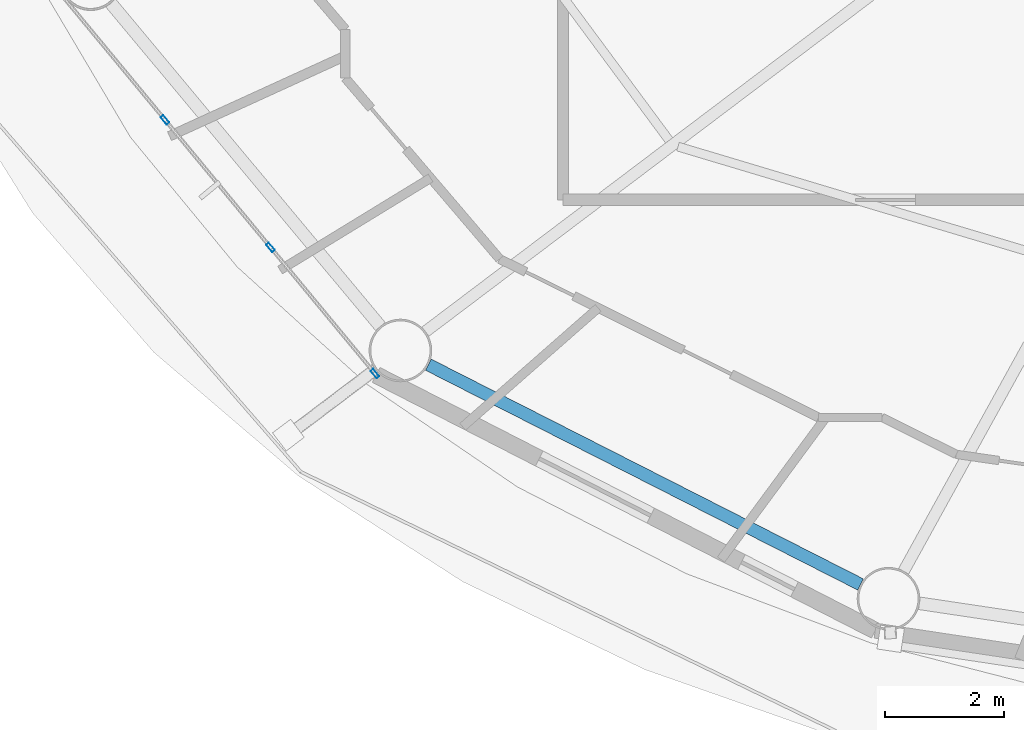
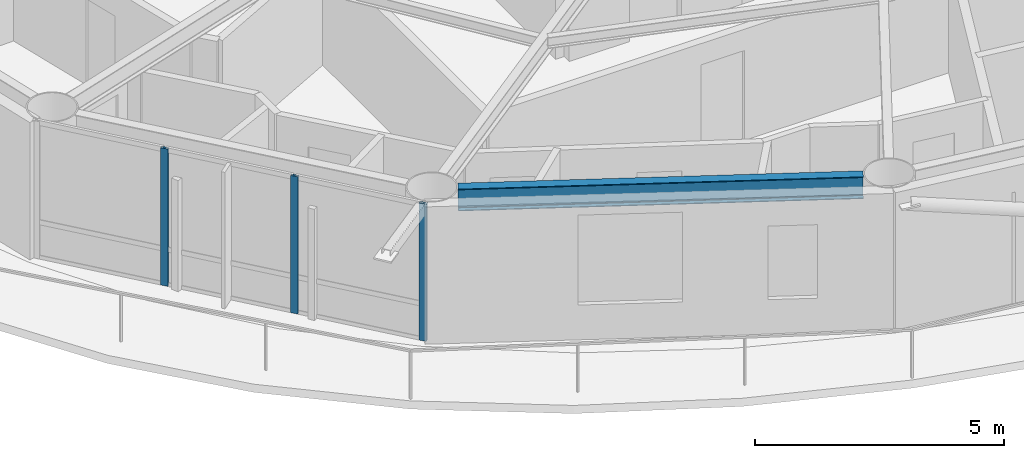
# One storey, part 2 of 23: 3 members, 1 beam, 1 element without a shape of its own.
"""IFC4 building model written with IfcOpenShell, lengths in metres."""

from ifc_helpers import new_model, si_unit, direction, frame, origin, origin_2d, place, context, subcontext, project, spatial, hollow_rectangle, i_section, extrude, material, layer, layer_set, material_profile, profile_set, type_object, element, aggregate, save


model = new_model("IFC4")

# Units and contexts
model_context = context("Model", 3, precision=1e-05, world=origin(), true_north=direction((0.0, 1.0)))
body_context = subcontext(model_context, "Body", "Model", "MODEL_VIEW")
ifc_project = project(units=[si_unit("LENGTHUNIT", "METRE"), si_unit("AREAUNIT", "SQUARE_METRE"), si_unit("VOLUMEUNIT", "CUBIC_METRE"), si_unit("PLANEANGLEUNIT", "RADIAN"), si_unit("MASSUNIT", "GRAM", prefix="KILO")], contexts=[model_context])

# Site, building, storey
site_placement = place(None, origin())
site = spatial("IfcSite", under=ifc_project, at=site_placement, CompositionType="ELEMENT")
building_placement = place(site_placement, origin())
building = spatial("IfcBuilding", under=site, at=building_placement, Name="Sarneth Arch Tower", CompositionType="ELEMENT")
storey_placement = place(building_placement, frame((0.0, 0.0, 238.800048828125)))
storey = spatial("IfcBuildingStorey", under=building, at=storey_placement, Name="L61", CompositionType="ELEMENT", Elevation=238.800048828125)

# Beam
ifc_material_1 = material(Name="Steel S355", Category="steel")
ifc_material_profile_1 = material_profile(ifc_material_1, i_section(OverallWidth=0.2109375, OverallDepth=0.5390625, WebThickness=0.01171875, FlangeThickness=0.018798828125, FilletRadius=0.01806640625, at=origin_2d()), Name="W530x109")
ifc_profile_set_1 = profile_set([ifc_material_profile_1], Name="Steel S355")
beam_type = type_object("IfcBeamType", Name="BM-RAD-530B", PredefinedType="BEAM", material=ifc_profile_set_1)
beam_placement = place(storey_placement, frame((30.49267578125, 28.185546875, 3.09033203125), z_axis=(0.891368271482, -0.453279830342, 0.0), x_axis=(0.453279830342, 0.891368271482, 0.0)))
element("IfcBeam", 1, at=beam_placement, inside=storey, type_object=beam_type, Name="L61 Perimeter spandrel beam 11", PredefinedType="BEAM", context=body_context, shape_type="SweptSolid", body=[
    extrude(i_section(OverallWidth=0.2109375, OverallDepth=0.5390625, WebThickness=0.01171875, FlangeThickness=0.018798828125, FilletRadius=0.01806640625, at=origin_2d()), origin(), (0.0, 0.0, 1.0), 8.1318359375),
])

# Curtain wall, members
ifc_material_2 = material(Name="Anodised aluminium Type AA25 and solar-control low-e laminated IGU", Category="aluminium")
ifc_layer = layer(ifc_material_2, 0.179931640625)
ifc_layer_set = layer_set([ifc_layer], Name="Anodised aluminium Type AA25 and solar-control low-e laminated IGU")
curtain_wall_type = type_object("IfcCurtainWallType", Name="CW-RES-HIGH", PredefinedType="NOTDEFINED", material=ifc_layer_set)
curtain_wall_placement = place(storey_placement, origin())
curtain_wall = element("IfcCurtainWall", 2, at=curtain_wall_placement, inside=storey, type_object=curtain_wall_type, Name="L61 Unitised curtain wall facet 10", PredefinedType="NOTDEFINED")
ifc_material_3 = material(Name="Anodised Aluminium 6063-T6", Category="aluminium")
ifc_material_profile_2 = material_profile(ifc_material_3, hollow_rectangle(XDim=0.06005859375, YDim=0.159912109375, WallThickness=0.00390625, at=origin_2d()), Name="AL-MULL-160x60x4")
ifc_profile_set_2 = profile_set([ifc_material_profile_2], Name="Anodised Aluminium 6063-T6")
member_type = type_object("IfcMemberType", Name="CW-MULLION", PredefinedType="MULLION", material=ifc_profile_set_2)
member_1_placement = place(storey_placement, frame((26.07666015625, 32.29150390625, 0.0), z_axis=(0.0, 0.0, 1.0), x_axis=(0.770359245933, 0.637610094184, 0.0)))
member_1 = element("IfcMember", 3, at=member_1_placement, type_object=member_type, Name="CW-SYS-6 mullion 2", PredefinedType="MULLION", context=body_context, shape_type="SweptSolid", body=[
    extrude(hollow_rectangle(XDim=0.06005859375, YDim=0.159912109375, WallThickness=0.00390625, at=origin_2d()), origin(), (0.0, 0.0, 1.0), 3.35986328125),
])
member_2_placement = place(storey_placement, frame((27.84716796875, 30.15234375, 0.0), z_axis=(0.0, 0.0, 1.0), x_axis=(0.770359245933, 0.637610094184, 0.0)))
member_2 = element("IfcMember", 4, at=member_2_placement, type_object=member_type, Name="CW-SYS-6 mullion 3", PredefinedType="MULLION", context=body_context, shape_type="SweptSolid", body=[
    extrude(hollow_rectangle(XDim=0.06005859375, YDim=0.159912109375, WallThickness=0.00390625, at=origin_2d()), origin(), (0.0, 0.0, 1.0), 3.35986328125),
])
member_3_placement = place(storey_placement, frame((29.598388671875, 28.03662109375, 0.0), z_axis=(0.0, 0.0, 1.0), x_axis=(0.770359245933, 0.637610094184, 0.0)))
member_3 = element("IfcMember", 5, at=member_3_placement, type_object=member_type, Name="CW-SYS-6 mullion 4", PredefinedType="MULLION", context=body_context, shape_type="SweptSolid", body=[
    extrude(hollow_rectangle(XDim=0.06005859375, YDim=0.159912109375, WallThickness=0.00390625, at=origin_2d()), origin(), (0.0, 0.0, 1.0), 3.35986328125),
])
aggregate(curtain_wall, [member_1, member_2, member_3])

save(model, "model.ifc")
